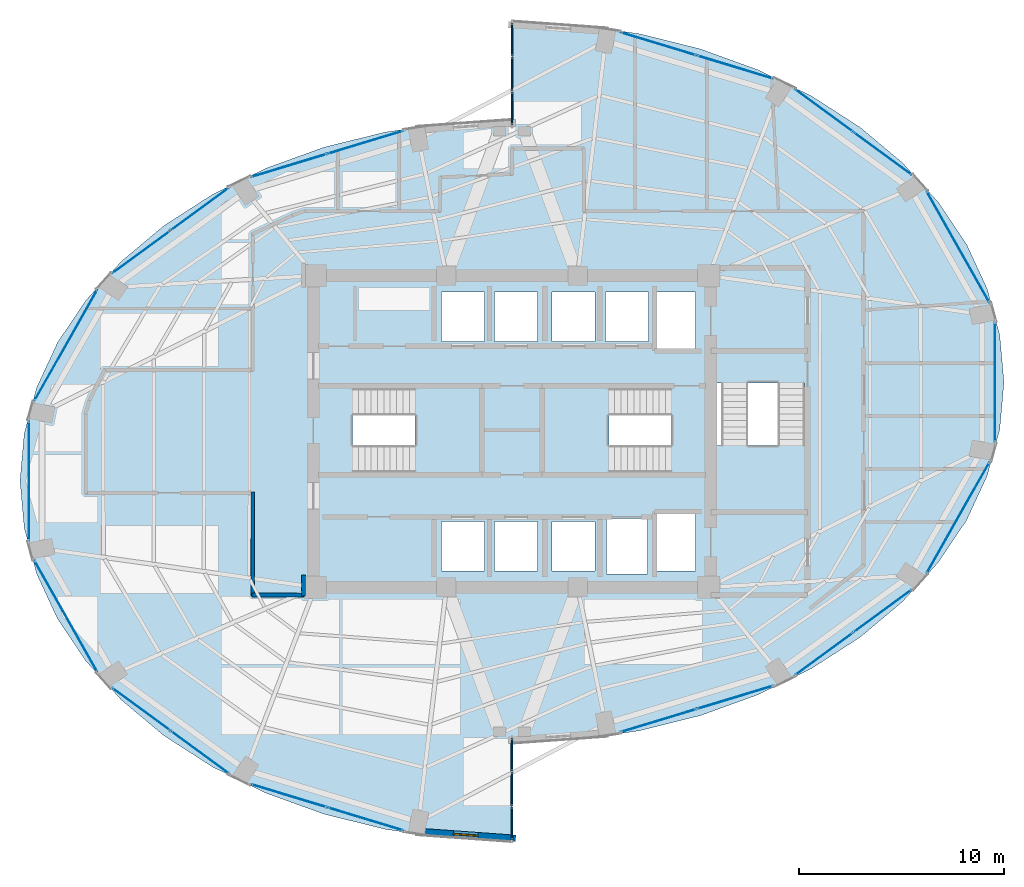
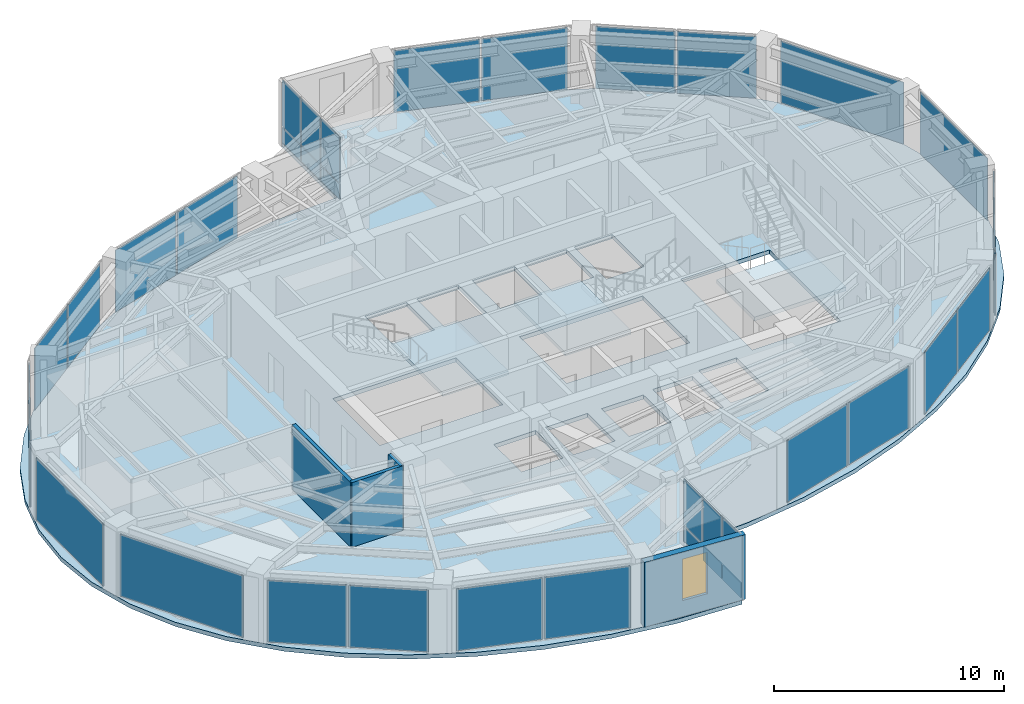
# One storey, part 15 of 20: 34 plates, 4 slabs, 4 walls, 1 window, 1 opening, 19 elements without a shape of their own.
"""IFC4 building model written with IfcOpenShell, lengths in metres."""

from ifc_helpers import new_model, si_unit, direction, frame, frame_2d, origin, origin_2d, place, context, subcontext, project, spatial, polyline, rectangle, outline, extrude, material, layer, layer_set, type_object, element, fill, aggregate, save


model = new_model("IFC4")

# Units and contexts
model_context = context("Model", 3, precision=1e-05, world=origin(), true_north=direction((0.0, 1.0)))
body_context = subcontext(model_context, "Body", "Model", "MODEL_VIEW")
ifc_project = project(units=[si_unit("LENGTHUNIT", "METRE"), si_unit("AREAUNIT", "SQUARE_METRE"), si_unit("VOLUMEUNIT", "CUBIC_METRE"), si_unit("PLANEANGLEUNIT", "RADIAN"), si_unit("MASSUNIT", "GRAM", prefix="KILO")], contexts=[model_context])

# Site, building, storey
site_placement = place(None, origin())
site = spatial("IfcSite", under=ifc_project, at=site_placement, CompositionType="ELEMENT")
building_placement = place(site_placement, origin())
building = spatial("IfcBuilding", under=site, at=building_placement, Name="Lazwardi Medical Tower", CompositionType="ELEMENT")
storey_placement = place(building_placement, frame((0.0, 0.0, 156.528076171875)))
storey = spatial("IfcBuildingStorey", under=building, at=storey_placement, Name="L40", CompositionType="ELEMENT", Elevation=156.528076171875)

# Curtain wall, plates
ifc_material_1 = material(Name="Anodised bronze aluminium and solar control glazing", Category="aluminium")
ifc_layer_1 = layer(ifc_material_1, 0.195068359375)
ifc_layer_set_1 = layer_set([ifc_layer_1], Name="Anodised bronze aluminium and solar control glazing")
curtain_wall_type_1 = type_object("IfcCurtainWallType", Name="CW-SYS-03", PredefinedType="NOTDEFINED", material=ifc_layer_set_1)
curtain_wall_1_placement = place(storey_placement, origin())
curtain_wall_1 = element("IfcCurtainWall", 1, at=curtain_wall_1_placement, inside=storey, type_object=curtain_wall_type_1, Name="L40 Unitised bronze curtain wall CW-03", PredefinedType="NOTDEFINED")
ifc_material_2 = material(Name="Low-e bronze solar control double glazing", Category="glass")
ifc_layer_2 = layer(ifc_material_2, 0.035888671875)
ifc_layer_set_2 = layer_set([ifc_layer_2], Name="Low-e bronze solar control double glazing")
plate_type_1 = type_object("IfcPlateType", Name="PLT-GLZ-01", PredefinedType="CURTAIN_PANEL", material=ifc_layer_set_2)
plate_1_placement = place(storey_placement, frame((43.1435546875, 13.8935546875, 0.07470703125), z_axis=(0.0, 0.0, 1.0), x_axis=(0.956941516292, 0.290280785441, 0.0)))
plate_1 = element("IfcPlate", 2, at=plate_1_placement, type_object=plate_type_1, Name="CW-03 panel 1.1", PredefinedType="CURTAIN_PANEL", context=body_context, shape_type="SweptSolid", body=[
    extrude(rectangle(XDim=3.83642578125, YDim=0.035888671875, at=origin_2d()), origin(), (0.0, 0.0, 1.0), 3.278076171875),
])
plate_2_placement = place(storey_placement, frame((46.88671875, 15.029052734375, 0.07470703125), z_axis=(0.0, 0.0, 1.0), x_axis=(0.956941516292, 0.290280785441, 0.0)))
plate_2 = element("IfcPlate", 3, at=plate_2_placement, type_object=plate_type_1, Name="CW-03 panel 2.1", PredefinedType="CURTAIN_PANEL", context=body_context, shape_type="SweptSolid", body=[
    extrude(rectangle(XDim=3.83642578125, YDim=0.035888671875, at=origin_2d()), origin(), (0.0, 0.0, 1.0), 3.278076171875),
])
aggregate(curtain_wall_1, [plate_1, plate_2])

curtain_wall_2_placement = place(storey_placement, origin())
curtain_wall_2 = element("IfcCurtainWall", 4, at=curtain_wall_2_placement, inside=storey, type_object=curtain_wall_type_1, Name="L40 Unitised bronze curtain wall CW-03", PredefinedType="NOTDEFINED")
plate_3_placement = place(storey_placement, frame((51.2265625, 17.153076171875, 0.07470703125), z_axis=(0.0, 0.0, 1.0), x_axis=(0.806793249082, 0.590833862635, 0.0)))
plate_3 = element("IfcPlate", 5, at=plate_3_placement, type_object=plate_type_1, Name="CW-03 panel 1.1", PredefinedType="CURTAIN_PANEL", context=body_context, shape_type="SweptSolid", body=[
    extrude(rectangle(XDim=3.472412109375, YDim=0.035888671875, at=origin_2d()), origin(), (0.0, 0.0, 1.0), 3.278076171875),
])
plate_4_placement = place(storey_placement, frame((54.088623046875, 19.2490234375, 0.07470703125), z_axis=(0.0, 0.0, 1.0), x_axis=(0.806793249082, 0.590833862635, 0.0)))
plate_4 = element("IfcPlate", 6, at=plate_4_placement, type_object=plate_type_1, Name="CW-03 panel 2.1", PredefinedType="CURTAIN_PANEL", context=body_context, shape_type="SweptSolid", body=[
    extrude(rectangle(XDim=3.472412109375, YDim=0.035888671875, at=origin_2d()), origin(), (0.0, 0.0, 1.0), 3.278076171875),
])
aggregate(curtain_wall_2, [plate_3, plate_4])

# Curtain wall, plate
curtain_wall_3_placement = place(storey_placement, origin())
curtain_wall_3 = element("IfcCurtainWall", 7, at=curtain_wall_3_placement, inside=storey, type_object=curtain_wall_type_1, Name="L40 Unitised bronze curtain wall CW-03", PredefinedType="NOTDEFINED")
plate_5_placement = place(storey_placement, frame((57.764404296875, 23.798095703125, 0.07470703125), z_axis=(0.0, 0.0, 1.0), x_axis=(0.492311672683, 0.870418989303, 0.0)))
plate_5 = element("IfcPlate", 8, at=plate_5_placement, type_object=plate_type_1, Name="CW-03 panel 1.1", PredefinedType="CURTAIN_PANEL", context=body_context, shape_type="SweptSolid", body=[
    extrude(rectangle(XDim=6.208740234375, YDim=0.035888671875, at=origin_2d()), origin(), (0.0, 0.0, 1.0), 3.278076171875),
])
aggregate(curtain_wall_3, [plate_5])

curtain_wall_4_placement = place(storey_placement, origin())
curtain_wall_4 = element("IfcCurtainWall", 9, at=curtain_wall_4_placement, inside=storey, type_object=curtain_wall_type_1, Name="L40 Unitised bronze curtain wall CW-03", PredefinedType="NOTDEFINED")
plate_6_placement = place(storey_placement, frame((59.5576171875, 30.39990234375, 0.07470703125), z_axis=(0.0, 0.0, 1.0), x_axis=(0.0, 1.0, 0.0)))
plate_6 = element("IfcPlate", 10, at=plate_6_placement, type_object=plate_type_1, Name="CW-03 panel 1.1", PredefinedType="CURTAIN_PANEL", context=body_context, shape_type="SweptSolid", body=[
    extrude(rectangle(XDim=5.8408203125, YDim=0.035888671875, at=origin_2d()), origin(), (0.0, 0.0, 1.0), 3.278076171875),
])
aggregate(curtain_wall_4, [plate_6])

curtain_wall_5_placement = place(storey_placement, origin())
curtain_wall_5 = element("IfcCurtainWall", 11, at=curtain_wall_5_placement, inside=storey, type_object=curtain_wall_type_1, Name="L40 Unitised bronze curtain wall CW-03", PredefinedType="NOTDEFINED")
plate_7_placement = place(storey_placement, frame((57.764404296875, 37.001953125, 0.07470703125), z_axis=(0.0, 0.0, 1.0), x_axis=(-0.492311672683, 0.870418989303, 0.0)))
plate_7 = element("IfcPlate", 12, at=plate_7_placement, type_object=plate_type_1, Name="CW-03 panel 1.1", PredefinedType="CURTAIN_PANEL", context=body_context, shape_type="SweptSolid", body=[
    extrude(rectangle(XDim=6.208740234375, YDim=0.035888671875, at=origin_2d()), origin(), (0.0, 0.0, 1.0), 3.278076171875),
])
aggregate(curtain_wall_5, [plate_7])

# Curtain wall, plates
curtain_wall_6_placement = place(storey_placement, origin())
curtain_wall_6 = element("IfcCurtainWall", 13, at=curtain_wall_6_placement, inside=storey, type_object=curtain_wall_type_1, Name="L40 Unitised bronze curtain wall CW-03", PredefinedType="NOTDEFINED")
plate_8_placement = place(storey_placement, frame((54.088623046875, 41.551025390625, 0.07470703125), z_axis=(0.0, 0.0, 1.0), x_axis=(-0.806793249082, 0.590833862635, 0.0)))
plate_8 = element("IfcPlate", 14, at=plate_8_placement, type_object=plate_type_1, Name="CW-03 panel 1.1", PredefinedType="CURTAIN_PANEL", context=body_context, shape_type="SweptSolid", body=[
    extrude(rectangle(XDim=3.472412109375, YDim=0.035888671875, at=origin_2d()), origin(), (0.0, 0.0, 1.0), 3.278076171875),
])
plate_9_placement = place(storey_placement, frame((51.2265625, 43.64697265625, 0.07470703125), z_axis=(0.0, 0.0, 1.0), x_axis=(-0.806793249082, 0.590833862635, 0.0)))
plate_9 = element("IfcPlate", 15, at=plate_9_placement, type_object=plate_type_1, Name="CW-03 panel 2.1", PredefinedType="CURTAIN_PANEL", context=body_context, shape_type="SweptSolid", body=[
    extrude(rectangle(XDim=3.472412109375, YDim=0.035888671875, at=origin_2d()), origin(), (0.0, 0.0, 1.0), 3.278076171875),
])
aggregate(curtain_wall_6, [plate_8, plate_9])

curtain_wall_7_placement = place(storey_placement, origin())
curtain_wall_7 = element("IfcCurtainWall", 16, at=curtain_wall_7_placement, inside=storey, type_object=curtain_wall_type_1, Name="L40 Unitised bronze curtain wall CW-03", PredefinedType="NOTDEFINED")
plate_10_placement = place(storey_placement, frame((46.88671875, 45.77099609375, 0.07470703125), z_axis=(0.0, 0.0, 1.0), x_axis=(-0.956941516292, 0.290280785441, 0.0)))
plate_10 = element("IfcPlate", 17, at=plate_10_placement, type_object=plate_type_1, Name="CW-03 panel 1.1", PredefinedType="CURTAIN_PANEL", context=body_context, shape_type="SweptSolid", body=[
    extrude(rectangle(XDim=3.83642578125, YDim=0.035888671875, at=origin_2d()), origin(), (0.0, 0.0, 1.0), 3.278076171875),
])
plate_11_placement = place(storey_placement, frame((43.1435546875, 46.906494140625, 0.07470703125), z_axis=(0.0, 0.0, 1.0), x_axis=(-0.956941516292, 0.290280785441, 0.0)))
plate_11 = element("IfcPlate", 18, at=plate_11_placement, type_object=plate_type_1, Name="CW-03 panel 2.1", PredefinedType="CURTAIN_PANEL", context=body_context, shape_type="SweptSolid", body=[
    extrude(rectangle(XDim=3.83642578125, YDim=0.035888671875, at=origin_2d()), origin(), (0.0, 0.0, 1.0), 3.278076171875),
])
aggregate(curtain_wall_7, [plate_10, plate_11])

curtain_wall_8_placement = place(storey_placement, origin())
curtain_wall_8 = element("IfcCurtainWall", 19, at=curtain_wall_8_placement, inside=storey, type_object=curtain_wall_type_1, Name="L40 Unitised bronze curtain wall CW-03", PredefinedType="NOTDEFINED")
plate_12_placement = place(storey_placement, frame((28.8564453125, 42.1064453125, 0.07470703125), z_axis=(0.0, 0.0, 1.0), x_axis=(-0.956941516292, -0.290280785441, 0.0)))
plate_12 = element("IfcPlate", 20, at=plate_12_placement, type_object=plate_type_1, Name="CW-03 panel 1.1", PredefinedType="CURTAIN_PANEL", context=body_context, shape_type="SweptSolid", body=[
    extrude(rectangle(XDim=3.83642578125, YDim=0.035888671875, at=origin_2d()), origin(), (0.0, 0.0, 1.0), 3.278076171875),
])
plate_13_placement = place(storey_placement, frame((25.11328125, 40.970947265625, 0.07470703125), z_axis=(0.0, 0.0, 1.0), x_axis=(-0.956941516292, -0.290280785441, 0.0)))
plate_13 = element("IfcPlate", 21, at=plate_13_placement, type_object=plate_type_1, Name="CW-03 panel 2.1", PredefinedType="CURTAIN_PANEL", context=body_context, shape_type="SweptSolid", body=[
    extrude(rectangle(XDim=3.83642578125, YDim=0.035888671875, at=origin_2d()), origin(), (0.0, 0.0, 1.0), 3.278076171875),
])
aggregate(curtain_wall_8, [plate_12, plate_13])

curtain_wall_9_placement = place(storey_placement, origin())
curtain_wall_9 = element("IfcCurtainWall", 22, at=curtain_wall_9_placement, inside=storey, type_object=curtain_wall_type_1, Name="L40 Unitised bronze curtain wall CW-03", PredefinedType="NOTDEFINED")
plate_14_placement = place(storey_placement, frame((20.7734375, 38.846923828125, 0.07470703125), z_axis=(0.0, 0.0, 1.0), x_axis=(-0.806793249082, -0.590833862635, 0.0)))
plate_14 = element("IfcPlate", 23, at=plate_14_placement, type_object=plate_type_1, Name="CW-03 panel 1.1", PredefinedType="CURTAIN_PANEL", context=body_context, shape_type="SweptSolid", body=[
    extrude(rectangle(XDim=3.472412109375, YDim=0.035888671875, at=origin_2d()), origin(), (0.0, 0.0, 1.0), 3.278076171875),
])
plate_15_placement = place(storey_placement, frame((17.911376953125, 36.7509765625, 0.07470703125), z_axis=(0.0, 0.0, 1.0), x_axis=(-0.806793249082, -0.590833862635, 0.0)))
plate_15 = element("IfcPlate", 24, at=plate_15_placement, type_object=plate_type_1, Name="CW-03 panel 2.1", PredefinedType="CURTAIN_PANEL", context=body_context, shape_type="SweptSolid", body=[
    extrude(rectangle(XDim=3.472412109375, YDim=0.035888671875, at=origin_2d()), origin(), (0.0, 0.0, 1.0), 3.278076171875),
])
aggregate(curtain_wall_9, [plate_14, plate_15])

# Curtain wall, plate
curtain_wall_10_placement = place(storey_placement, origin())
curtain_wall_10 = element("IfcCurtainWall", 25, at=curtain_wall_10_placement, inside=storey, type_object=curtain_wall_type_1, Name="L40 Unitised bronze curtain wall CW-03", PredefinedType="NOTDEFINED")
plate_16_placement = place(storey_placement, frame((14.235595703125, 32.201904296875, 0.07470703125), z_axis=(0.0, 0.0, 1.0), x_axis=(-0.492311672683, -0.870418989303, 0.0)))
plate_16 = element("IfcPlate", 26, at=plate_16_placement, type_object=plate_type_1, Name="CW-03 panel 1.1", PredefinedType="CURTAIN_PANEL", context=body_context, shape_type="SweptSolid", body=[
    extrude(rectangle(XDim=6.208740234375, YDim=0.035888671875, at=origin_2d()), origin(), (0.0, 0.0, 1.0), 3.278076171875),
])
aggregate(curtain_wall_10, [plate_16])

curtain_wall_11_placement = place(storey_placement, origin())
curtain_wall_11 = element("IfcCurtainWall", 27, at=curtain_wall_11_placement, inside=storey, type_object=curtain_wall_type_1, Name="L40 Unitised bronze curtain wall CW-03", PredefinedType="NOTDEFINED")
plate_17_placement = place(storey_placement, frame((12.4423828125, 25.60009765625, 0.07470703125), z_axis=(0.0, 0.0, 1.0), x_axis=(0.0, -1.0, 0.0)))
plate_17 = element("IfcPlate", 28, at=plate_17_placement, type_object=plate_type_1, Name="CW-03 panel 1.1", PredefinedType="CURTAIN_PANEL", context=body_context, shape_type="SweptSolid", body=[
    extrude(rectangle(XDim=5.8408203125, YDim=0.035888671875, at=origin_2d()), origin(), (0.0, 0.0, 1.0), 3.278076171875),
])
aggregate(curtain_wall_11, [plate_17])

curtain_wall_12_placement = place(storey_placement, origin())
curtain_wall_12 = element("IfcCurtainWall", 29, at=curtain_wall_12_placement, inside=storey, type_object=curtain_wall_type_1, Name="L40 Unitised bronze curtain wall CW-03", PredefinedType="NOTDEFINED")
plate_18_placement = place(storey_placement, frame((14.235595703125, 18.998046875, 0.07470703125), z_axis=(0.0, 0.0, 1.0), x_axis=(0.492311672683, -0.870418989303, 0.0)))
plate_18 = element("IfcPlate", 30, at=plate_18_placement, type_object=plate_type_1, Name="CW-03 panel 1.1", PredefinedType="CURTAIN_PANEL", context=body_context, shape_type="SweptSolid", body=[
    extrude(rectangle(XDim=6.208740234375, YDim=0.035888671875, at=origin_2d()), origin(), (0.0, 0.0, 1.0), 3.278076171875),
])
aggregate(curtain_wall_12, [plate_18])

# Curtain wall, plates
curtain_wall_13_placement = place(storey_placement, origin())
curtain_wall_13 = element("IfcCurtainWall", 31, at=curtain_wall_13_placement, inside=storey, type_object=curtain_wall_type_1, Name="L40 Unitised bronze curtain wall CW-03", PredefinedType="NOTDEFINED")
plate_19_placement = place(storey_placement, frame((17.911376953125, 14.448974609375, 0.07470703125), z_axis=(0.0, 0.0, 1.0), x_axis=(0.806793249082, -0.590833862635, 0.0)))
plate_19 = element("IfcPlate", 32, at=plate_19_placement, type_object=plate_type_1, Name="CW-03 panel 1.1", PredefinedType="CURTAIN_PANEL", context=body_context, shape_type="SweptSolid", body=[
    extrude(rectangle(XDim=3.472412109375, YDim=0.035888671875, at=origin_2d()), origin(), (0.0, 0.0, 1.0), 3.278076171875),
])
plate_20_placement = place(storey_placement, frame((20.7734375, 12.35302734375, 0.07470703125), z_axis=(0.0, 0.0, 1.0), x_axis=(0.806793249082, -0.590833862635, 0.0)))
plate_20 = element("IfcPlate", 33, at=plate_20_placement, type_object=plate_type_1, Name="CW-03 panel 2.1", PredefinedType="CURTAIN_PANEL", context=body_context, shape_type="SweptSolid", body=[
    extrude(rectangle(XDim=3.472412109375, YDim=0.035888671875, at=origin_2d()), origin(), (0.0, 0.0, 1.0), 3.278076171875),
])
aggregate(curtain_wall_13, [plate_19, plate_20])

curtain_wall_14_placement = place(storey_placement, origin())
curtain_wall_14 = element("IfcCurtainWall", 34, at=curtain_wall_14_placement, inside=storey, type_object=curtain_wall_type_1, Name="L40 Unitised bronze curtain wall CW-03", PredefinedType="NOTDEFINED")
plate_21_placement = place(storey_placement, frame((25.11328125, 10.22900390625, 0.07470703125), z_axis=(0.0, 0.0, 1.0), x_axis=(0.956941516292, -0.290280785441, 0.0)))
plate_21 = element("IfcPlate", 35, at=plate_21_placement, type_object=plate_type_1, Name="CW-03 panel 1.1", PredefinedType="CURTAIN_PANEL", context=body_context, shape_type="SweptSolid", body=[
    extrude(rectangle(XDim=3.83642578125, YDim=0.035888671875, at=origin_2d()), origin(), (0.0, 0.0, 1.0), 3.278076171875),
])
plate_22_placement = place(storey_placement, frame((28.8564453125, 9.093505859375, 0.07470703125), z_axis=(0.0, 0.0, 1.0), x_axis=(0.956941516292, -0.290280785441, 0.0)))
plate_22 = element("IfcPlate", 36, at=plate_22_placement, type_object=plate_type_1, Name="CW-03 panel 2.1", PredefinedType="CURTAIN_PANEL", context=body_context, shape_type="SweptSolid", body=[
    extrude(rectangle(XDim=3.83642578125, YDim=0.035888671875, at=origin_2d()), origin(), (0.0, 0.0, 1.0), 3.278076171875),
])
aggregate(curtain_wall_14, [plate_21, plate_22])

ifc_layer_3 = layer(ifc_material_1, 0.2099609375)
ifc_layer_set_3 = layer_set([ifc_layer_3], Name="Anodised bronze aluminium and solar control glazing")
curtain_wall_type_2 = type_object("IfcCurtainWallType", Name="CW-SYS-06", PredefinedType="NOTDEFINED", material=ifc_layer_set_3)
curtain_wall_15_placement = place(storey_placement, origin())
curtain_wall_15 = element("IfcCurtainWall", 37, at=curtain_wall_15_placement, inside=storey, type_object=curtain_wall_type_2, Name="L40 Unitised bronze curtain wall CW-06", PredefinedType="NOTDEFINED")
ifc_material_3 = material(Name="Turquoise glazed ceramic insulated panel", Category="glass")
ifc_layer_4 = layer(ifc_material_3, 0.053955078125)
ifc_layer_set_4 = layer_set([ifc_layer_4], Name="Turquoise glazed ceramic insulated panel")
plate_type_2 = type_object("IfcPlateType", Name="PLT-TRQ-01", PredefinedType="CURTAIN_PANEL", material=ifc_layer_set_4)
plate_23_placement = place(storey_placement, frame((36.0, 47.1279296875, 0.074951171875), z_axis=(0.0, 0.0, 1.0), x_axis=(0.0, -1.0, 0.0)))
plate_23 = element("IfcPlate", 38, at=plate_23_placement, type_object=plate_type_2, Name="CW-06 panel 1.1", PredefinedType="CURTAIN_PANEL", context=body_context, shape_type="SweptSolid", body=[
    extrude(rectangle(XDim=1.59423828125, YDim=0.053955078125, at=origin_2d()), origin(), (0.0, 0.0, 1.0), 0.78759765625),
])
plate_24_placement = place(storey_placement, frame((36.0, 47.1279296875, 0.9375), z_axis=(0.0, 0.0, 1.0), x_axis=(0.0, -1.0, 0.0)))
plate_24 = element("IfcPlate", 39, at=plate_24_placement, type_object=plate_type_2, Name="CW-06 panel 1.2", PredefinedType="CURTAIN_PANEL", context=body_context, shape_type="SweptSolid", body=[
    extrude(rectangle(XDim=1.59423828125, YDim=0.053955078125, at=origin_2d()), origin(), (0.0, 0.0, 1.0), 2.41552734375),
])
plate_25_placement = place(storey_placement, frame((36.0, 45.43994140625, 0.074951171875), z_axis=(0.0, 0.0, 1.0), x_axis=(0.0, -1.0, 0.0)))
plate_25 = element("IfcPlate", 40, at=plate_25_placement, type_object=plate_type_2, Name="CW-06 panel 2.1", PredefinedType="CURTAIN_PANEL", context=body_context, shape_type="SweptSolid", body=[
    extrude(rectangle(XDim=1.631591796875, YDim=0.053955078125, at=origin_2d()), origin(), (0.0, 0.0, 1.0), 0.78759765625),
])
plate_26_placement = place(storey_placement, frame((36.0, 45.43994140625, 0.9375), z_axis=(0.0, 0.0, 1.0), x_axis=(0.0, -1.0, 0.0)))
plate_26 = element("IfcPlate", 41, at=plate_26_placement, type_object=plate_type_2, Name="CW-06 panel 2.2", PredefinedType="CURTAIN_PANEL", context=body_context, shape_type="SweptSolid", body=[
    extrude(rectangle(XDim=1.631591796875, YDim=0.053955078125, at=origin_2d()), origin(), (0.0, 0.0, 1.0), 2.41552734375),
])
plate_27_placement = place(storey_placement, frame((36.0, 43.752197265625, 0.074951171875), z_axis=(0.0, 0.0, 1.0), x_axis=(0.0, -1.0, 0.0)))
plate_27 = element("IfcPlate", 42, at=plate_27_placement, type_object=plate_type_2, Name="CW-06 panel 3.1", PredefinedType="CURTAIN_PANEL", context=body_context, shape_type="SweptSolid", body=[
    extrude(rectangle(XDim=1.59423828125, YDim=0.053955078125, at=origin_2d()), origin(), (0.0, 0.0, 1.0), 0.78759765625),
])
plate_28_placement = place(storey_placement, frame((36.0, 43.752197265625, 0.9375), z_axis=(0.0, 0.0, 1.0), x_axis=(0.0, -1.0, 0.0)))
plate_28 = element("IfcPlate", 43, at=plate_28_placement, type_object=plate_type_2, Name="CW-06 panel 3.2", PredefinedType="CURTAIN_PANEL", context=body_context, shape_type="SweptSolid", body=[
    extrude(rectangle(XDim=1.59423828125, YDim=0.053955078125, at=origin_2d()), origin(), (0.0, 0.0, 1.0), 2.41552734375),
])
aggregate(curtain_wall_15, [plate_23, plate_24, plate_25, plate_26, plate_27, plate_28])

curtain_wall_16_placement = place(storey_placement, origin())
curtain_wall_16 = element("IfcCurtainWall", 44, at=curtain_wall_16_placement, inside=storey, type_object=curtain_wall_type_2, Name="L40 Unitised bronze curtain wall CW-06", PredefinedType="NOTDEFINED")
plate_29_placement = place(storey_placement, frame((36.0, 8.8720703125, 0.074951171875), z_axis=(0.0, 0.0, 1.0), x_axis=(0.0, 1.0, 0.0)))
plate_29 = element("IfcPlate", 45, at=plate_29_placement, type_object=plate_type_2, Name="CW-06 panel 1.1", PredefinedType="CURTAIN_PANEL", context=body_context, shape_type="SweptSolid", body=[
    extrude(rectangle(XDim=1.59423828125, YDim=0.053955078125, at=origin_2d()), origin(), (0.0, 0.0, 1.0), 0.78759765625),
])
plate_30_placement = place(storey_placement, frame((36.0, 8.8720703125, 0.9375), z_axis=(0.0, 0.0, 1.0), x_axis=(0.0, 1.0, 0.0)))
plate_30 = element("IfcPlate", 46, at=plate_30_placement, type_object=plate_type_2, Name="CW-06 panel 1.2", PredefinedType="CURTAIN_PANEL", context=body_context, shape_type="SweptSolid", body=[
    extrude(rectangle(XDim=1.59423828125, YDim=0.053955078125, at=origin_2d()), origin(), (0.0, 0.0, 1.0), 2.41552734375),
])
plate_31_placement = place(storey_placement, frame((36.0, 10.56005859375, 0.074951171875), z_axis=(0.0, 0.0, 1.0), x_axis=(0.0, 1.0, 0.0)))
plate_31 = element("IfcPlate", 47, at=plate_31_placement, type_object=plate_type_2, Name="CW-06 panel 2.1", PredefinedType="CURTAIN_PANEL", context=body_context, shape_type="SweptSolid", body=[
    extrude(rectangle(XDim=1.631591796875, YDim=0.053955078125, at=origin_2d()), origin(), (0.0, 0.0, 1.0), 0.78759765625),
])
plate_32_placement = place(storey_placement, frame((36.0, 10.56005859375, 0.9375), z_axis=(0.0, 0.0, 1.0), x_axis=(0.0, 1.0, 0.0)))
plate_32 = element("IfcPlate", 48, at=plate_32_placement, type_object=plate_type_2, Name="CW-06 panel 2.2", PredefinedType="CURTAIN_PANEL", context=body_context, shape_type="SweptSolid", body=[
    extrude(rectangle(XDim=1.631591796875, YDim=0.053955078125, at=origin_2d()), origin(), (0.0, 0.0, 1.0), 2.41552734375),
])
plate_33_placement = place(storey_placement, frame((36.0, 12.247802734375, 0.074951171875), z_axis=(0.0, 0.0, 1.0), x_axis=(0.0, 1.0, 0.0)))
plate_33 = element("IfcPlate", 49, at=plate_33_placement, type_object=plate_type_2, Name="CW-06 panel 3.1", PredefinedType="CURTAIN_PANEL", context=body_context, shape_type="SweptSolid", body=[
    extrude(rectangle(XDim=1.59423828125, YDim=0.053955078125, at=origin_2d()), origin(), (0.0, 0.0, 1.0), 0.78759765625),
])
plate_34_placement = place(storey_placement, frame((36.0, 12.247802734375, 0.9375), z_axis=(0.0, 0.0, 1.0), x_axis=(0.0, 1.0, 0.0)))
plate_34 = element("IfcPlate", 50, at=plate_34_placement, type_object=plate_type_2, Name="CW-06 panel 3.2", PredefinedType="CURTAIN_PANEL", context=body_context, shape_type="SweptSolid", body=[
    extrude(rectangle(XDim=1.59423828125, YDim=0.053955078125, at=origin_2d()), origin(), (0.0, 0.0, 1.0), 2.41552734375),
])
aggregate(curtain_wall_16, [plate_29, plate_30, plate_31, plate_32, plate_33, plate_34])

# Stair, slab
ifc_material_4 = material(Name="Concrete C45/55", Category="concrete")
stair_type = type_object("IfcStairType", Name="STR-WRD", PredefinedType="HALF_TURN_STAIR", material=ifc_material_4)
stair_1_placement = place(storey_placement, origin())
stair_1 = element("IfcStair", 51, at=stair_1_placement, inside=storey, type_object=stair_type, Name="L40 Protected Exit Stair ST1", PredefinedType="HALF_TURN_STAIR")
ifc_layer_5 = layer(ifc_material_4, 0.199951171875)
ifc_layer_set_5 = layer_set([ifc_layer_5], Name="Concrete C45/55")
slab_type_1 = type_object("IfcSlabType", Name="SLB-LND-190", PredefinedType="LANDING", material=ifc_layer_set_5)
slab_1_placement = place(storey_placement, frame((0.0, 0.0, 1.6240234375)))
slab_1 = element("IfcSlab", 52, at=slab_1_placement, type_object=slab_type_1, Name="ST1 landing 1", PredefinedType="LANDING", context=body_context, shape_type="SweptSolid", body=[
    extrude(outline(polyline([(31.27490234375, 25.840087890625), (34.580078125, 25.840087890625), (34.580078125, 30.280029296875), (31.27490234375, 30.280029296875), (31.27490234375, 25.840087890625)])), origin(), (0.0, 0.0, 1.0), 0.199951171875),
])
aggregate(stair_1, [slab_1])

stair_2_placement = place(storey_placement, origin())
stair_2 = element("IfcStair", 53, at=stair_2_placement, inside=storey, type_object=stair_type, Name="L40 Protected Exit Stair ST2", PredefinedType="HALF_TURN_STAIR")
slab_2_placement = place(storey_placement, frame((0.0, 0.0, 1.6240234375)))
slab_2 = element("IfcSlab", 54, at=slab_2_placement, type_object=slab_type_1, Name="ST2 landing 1", PredefinedType="LANDING", context=body_context, shape_type="SweptSolid", body=[
    extrude(outline(polyline([(40.72509765625, 30.280029296875), (37.419921875, 30.280029296875), (37.419921875, 25.840087890625), (40.72509765625, 25.840087890625), (40.72509765625, 30.280029296875)])), origin(), (0.0, 0.0, 1.0), 0.199951171875),
])
aggregate(stair_2, [slab_2])

stair_3_placement = place(storey_placement, origin())
stair_3 = element("IfcStair", 55, at=stair_3_placement, inside=storey, type_object=stair_type, Name="L40 Protected Exit Stair ST3", PredefinedType="HALF_TURN_STAIR")
slab_3_placement = place(storey_placement, frame((0.0, 0.0, 1.6240234375)))
slab_3 = element("IfcSlab", 56, at=slab_3_placement, type_object=slab_type_1, Name="ST3 landing 1", PredefinedType="LANDING", context=body_context, shape_type="SweptSolid", body=[
    extrude(outline(polyline([(45.860107421875, 27.324951171875), (45.860107421875, 24.02001953125), (50.4599609375, 24.02001953125), (50.4599609375, 27.324951171875), (45.860107421875, 27.324951171875)])), origin(), (0.0, 0.0, 1.0), 0.199951171875),
])
aggregate(stair_3, [slab_3])

# Slab
ifc_material_5 = material(Name="Concrete C50/60", Category="concrete")
ifc_layer_6 = layer(ifc_material_5, 0.219970703125)
ifc_layer_set_6 = layer_set([ifc_layer_6], Name="Concrete C50/60")
slab_type_2 = type_object("IfcSlabType", Name="SLB-WRD-220", PredefinedType="FLOOR", material=ifc_layer_set_6)
slab_4_placement = place(storey_placement, frame((0.0, 0.0, -0.219970703125)))
element("IfcSlab", 57, at=slab_4_placement, inside=storey, type_object=slab_type_2, Name="Structural floor slab SF-03 L40", PredefinedType="FLOOR", context=body_context, shape_type="SweptSolid", body=[
    extrude(outline(polyline([(12.205322265625, 23.302734375), (12.81787109375, 21.044921875), (13.826904296875, 18.86474609375), (15.21533203125, 16.800048828125), (16.95947265625, 14.8857421875), (19.029296875, 13.15478515625), (21.3896484375, 11.636962890625), (24.0, 10.35791015625), (26.815673828125, 9.339599609375), (29.788330078125, 8.599609375), (32.867431640625, 8.150634765625), (36.0, 8.0), (36.0, 12.800048828125), (39.132568359375, 12.95068359375), (42.211669921875, 13.399658203125), (45.184326171875, 14.1396484375), (48.0, 15.157958984375), (50.6103515625, 16.43701171875), (52.970703125, 17.954833984375), (55.04052734375, 19.685791015625), (56.78466796875, 21.60009765625), (58.173095703125, 23.664794921875), (59.18212890625, 25.8447265625), (59.794677734375, 28.102783203125), (60.0, 30.39990234375), (59.794677734375, 32.697265625), (59.18212890625, 34.955078125), (58.173095703125, 37.13525390625), (56.78466796875, 39.199951171875), (55.04052734375, 41.1142578125), (52.970703125, 42.84521484375), (50.6103515625, 44.363037109375), (48.0, 45.64208984375), (45.184326171875, 46.660400390625), (42.211669921875, 47.400390625), (39.132568359375, 47.849365234375), (36.0, 48.0), (36.0, 43.199951171875), (32.867431640625, 43.04931640625), (29.788330078125, 42.600341796875), (26.815673828125, 41.8603515625), (24.0, 40.842041015625), (21.3896484375, 39.56298828125), (19.029296875, 38.045166015625), (16.95947265625, 36.314208984375), (15.21533203125, 34.39990234375), (13.826904296875, 32.335205078125), (12.81787109375, 30.1552734375), (12.205322265625, 27.897216796875), (12.0, 25.60009765625), (12.205322265625, 23.302734375)]), holes=[polyline([(28.22509765625, 26.02001953125), (28.22509765625, 30.10009765625), (34.39990234375, 30.10009765625), (34.39990234375, 26.02001953125), (28.22509765625, 26.02001953125)]), polyline([(37.60009765625, 30.10009765625), (43.77490234375, 30.10009765625), (43.77490234375, 26.02001953125), (37.60009765625, 26.02001953125), (37.60009765625, 30.10009765625)]), polyline([(50.280029296875, 30.375), (50.280029296875, 24.179931640625), (45.840087890625, 24.179931640625), (45.840087890625, 30.375), (50.280029296875, 30.375)]), polyline([(34.64990234375, 32.39990234375), (32.550048828125, 32.39990234375), (32.550048828125, 34.800048828125), (34.64990234375, 34.800048828125), (34.64990234375, 32.39990234375)]), polyline([(35.14990234375, 32.39990234375), (35.14990234375, 34.800048828125), (37.25, 34.800048828125), (37.25, 32.39990234375), (35.14990234375, 32.39990234375)]), polyline([(32.550048828125, 23.60009765625), (34.64990234375, 23.60009765625), (34.64990234375, 21.199951171875), (32.550048828125, 21.199951171875), (32.550048828125, 23.60009765625)]), polyline([(37.25, 23.60009765625), (37.25, 21.199951171875), (35.14990234375, 21.199951171875), (35.14990234375, 23.60009765625), (37.25, 23.60009765625)]), polyline([(40.050048828125, 32.39990234375), (37.949951171875, 32.39990234375), (37.949951171875, 34.800048828125), (40.050048828125, 34.800048828125), (40.050048828125, 32.39990234375)]), polyline([(40.550048828125, 32.39990234375), (40.550048828125, 34.800048828125), (42.64990234375, 34.800048828125), (42.64990234375, 32.39990234375), (40.550048828125, 32.39990234375)]), polyline([(37.949951171875, 23.60009765625), (40.050048828125, 23.60009765625), (40.050048828125, 21.199951171875), (37.949951171875, 21.199951171875), (37.949951171875, 23.60009765625)]), polyline([(44.949951171875, 34.800048828125), (44.949951171875, 32.0), (43.050048828125, 32.0), (43.050048828125, 34.800048828125), (44.949951171875, 34.800048828125)]), polyline([(44.949951171875, 21.199951171875), (43.050048828125, 21.199951171875), (43.050048828125, 24.0), (44.949951171875, 24.0), (44.949951171875, 21.199951171875)]), polyline([(40.60009765625, 21.050048828125), (40.60009765625, 23.75), (42.60009765625, 23.75), (42.60009765625, 21.050048828125), (40.60009765625, 21.050048828125)])]), origin(), (0.0, 0.0, 1.0), 0.219970703125),
])

# Walls
ifc_material_6 = material(Name="Fire-rated gypsum board on steel stud", Category="steel")
ifc_layer_7 = layer(ifc_material_6, 0.179931640625)
ifc_layer_set_7 = layer_set([ifc_layer_7], Name="Fire-rated gypsum board on steel stud")
wall_type_1 = type_object("IfcWallType", Name="WL-COR-180", PredefinedType="PARTITIONING", material=ifc_layer_set_7)
wall_1_placement = place(storey_placement, frame((25.830078125, 21.010009765625, 0.0), z_axis=(0.0, 0.0, 1.0), x_axis=(0.0, -1.0, 0.0)))
element("IfcWall", 58, at=wall_1_placement, inside=storey, type_object=wall_type_1, Name="L40 Corridor partition 16", PredefinedType="PARTITIONING", context=body_context, shape_type="SweptSolid", body=[
    extrude(rectangle(XDim=1.030029296875, YDim=0.179931640625, at=frame_2d((0.51513671875, 0.0))), origin(), (0.0, 0.0, 1.0), 3.427978515625),
])
wall_2_placement = place(storey_placement, frame((25.8701171875, 20.02001953125, 0.0), z_axis=(0.0, 0.0, 1.0), x_axis=(-1.0, 0.0, 0.0)))
element("IfcWall", 59, at=wall_2_placement, inside=storey, type_object=wall_type_1, Name="L40 Corridor partition 17", PredefinedType="PARTITIONING", context=body_context, shape_type="SweptSolid", body=[
    extrude(rectangle(XDim=2.56005859375, YDim=0.179931640625, at=frame_2d((1.280029296875, 0.0))), origin(), (0.0, 0.0, 1.0), 3.427978515625),
])
wall_3_placement = place(storey_placement, frame((23.35009765625, 19.97998046875, 0.0), z_axis=(0.0, 0.0, 1.0), x_axis=(0.0, 1.0, 0.0)))
element("IfcWall", 60, at=wall_3_placement, inside=storey, type_object=wall_type_1, Name="L40 Corridor partition 18", PredefinedType="PARTITIONING", context=body_context, shape_type="SweptSolid", body=[
    extrude(rectangle(XDim=5.06005859375, YDim=0.179931640625, at=frame_2d((2.530029296875, 0.0))), origin(), (0.0, 0.0, 1.0), 3.427978515625),
])

# Wall, opening, window
ifc_material_7 = material(Name="Precast concrete C45/55", Category="concrete")
ifc_layer_8 = layer(ifc_material_7, 0.320068359375)
ifc_layer_set_8 = layer_set([ifc_layer_8], Name="Precast concrete C45/55")
wall_type_2 = type_object("IfcWallType", Name="WL-IWAN-320", PredefinedType="SOLIDWALL", material=ifc_layer_set_8)
wall_4_placement = place(storey_placement, frame((31.299072265625, 8.498779296875, 0.0), z_axis=(0.0, 0.0, 1.0), x_axis=(0.997415202861, -0.071853413984, 0.0)))
wall_4 = element("IfcWall", 61, at=wall_4_placement, inside=storey, type_object=wall_type_2, Name="L40 Iwan Portal Return Wall SW_ret", PredefinedType="SOLIDWALL", context=body_context, shape_type="SweptSolid", body=[
    extrude(rectangle(XDim=4.892822265625, YDim=0.320068359375, at=frame_2d((2.4462890625, 0.0))), origin(), (0.0, 0.0, 1.0), 3.427978515625),
])
opening_placement = place(wall_4_placement, frame((1.84619140625, 0.0, 0.85009765625)))
opening = element("IfcOpeningElement", 62, at=opening_placement, cuts=wall_4, Name="Opening WN-01", PredefinedType="OPENING", context=body_context, shape_type="SweptSolid", body=[
    extrude(rectangle(XDim=1.199951171875, YDim=2.199951171875, at=frame_2d((0.60009765625, 1.10009765625))), frame((0.0, 0.169921875, 0.0), z_axis=(0.0, -1.0, 0.0), x_axis=(1.0, 0.0, 0.0)), (0.0, 0.0, 1.0), 0.340087890625),
])
window_type = type_object("IfcWindowType", Name="WIN-IW-1200", PartitioningType="SINGLE_PANEL", PredefinedType="WINDOW", material=ifc_material_2)
window_placement = place(opening_placement, origin())
window = element("IfcWindow", 63, at=window_placement, inside=storey, type_object=window_type, Name="L40 Iwan Slot Window SW_ret", OverallHeight=2.199951171875, OverallWidth=1.199951171875, PartitioningType="SINGLE_PANEL", PredefinedType="WINDOW", context=body_context, shape_type="SweptSolid", body=[
    extrude(rectangle(XDim=1.199951171875, YDim=2.199951171875, at=frame_2d((0.60009765625, 1.10009765625))), frame((0.0, 0.030029296875, 0.0), z_axis=(0.0, -1.0, 0.0), x_axis=(1.0, 0.0, 0.0)), (0.0, 0.0, 1.0), 0.06005859375),
])
fill(opening, window)

save(model, "model.ifc")
